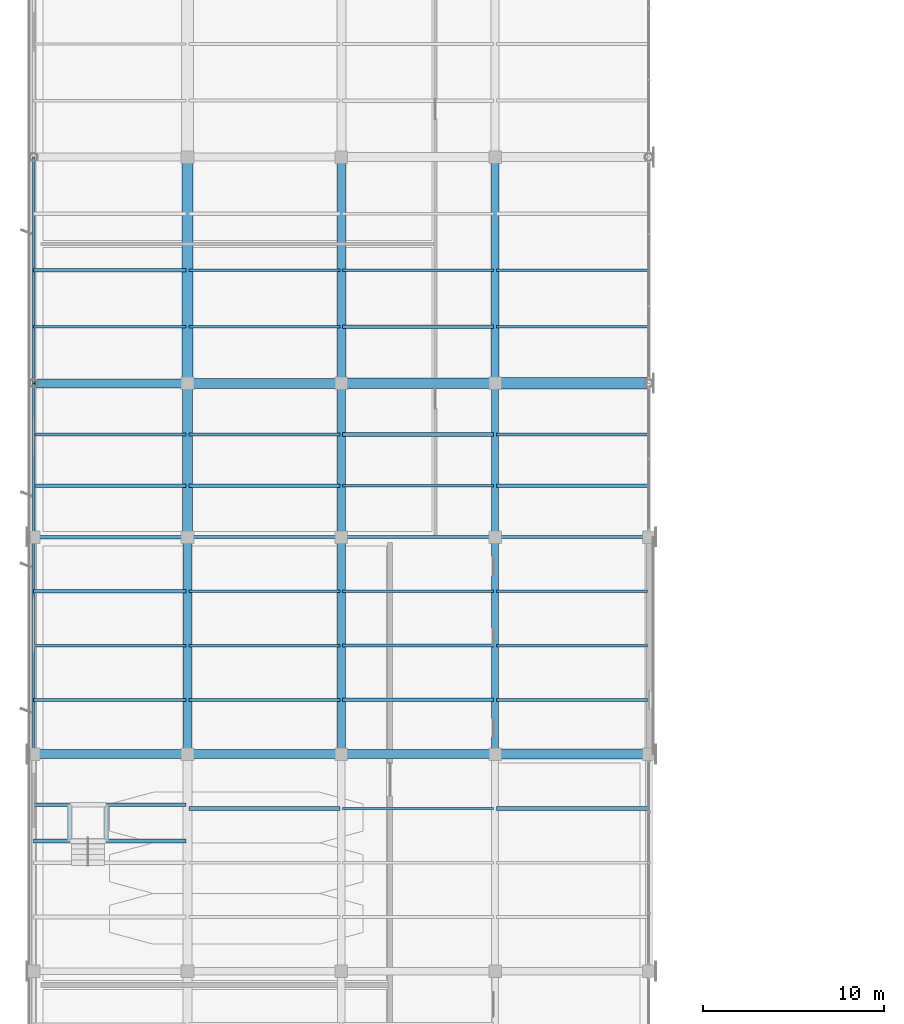
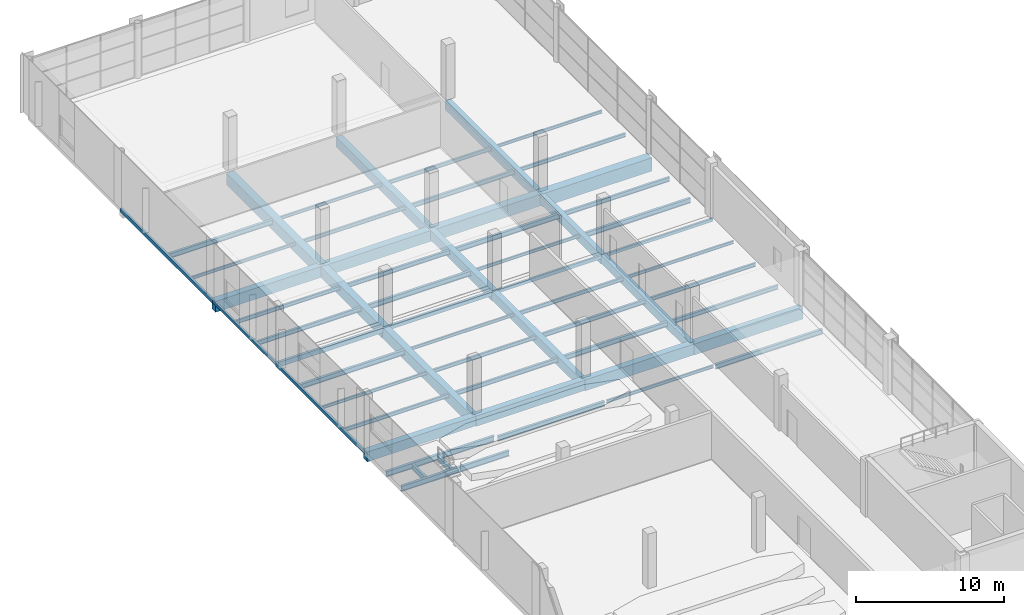
# One storey, part 38 of 112: 59 beams.
"""IFC4 building model written with IfcOpenShell, lengths in metres."""

from ifc_helpers import new_model, si_unit, direction, frame, origin, origin_2d, place, context, subcontext, project, spatial, rectangle, hollow_rectangle, i_section, extrude, material, material_profile, profile_set, type_object, element, save


model = new_model("IFC4")

# Units and contexts
model_context = context("Model", 3, precision=1e-05, world=origin(), true_north=direction((0.0, 1.0)))
body_context = subcontext(model_context, "Body", "Model", "MODEL_VIEW")
ifc_project = project(units=[si_unit("LENGTHUNIT", "METRE"), si_unit("AREAUNIT", "SQUARE_METRE"), si_unit("VOLUMEUNIT", "CUBIC_METRE"), si_unit("PLANEANGLEUNIT", "RADIAN"), si_unit("MASSUNIT", "GRAM", prefix="KILO")], contexts=[model_context])

# Site, building, storey
site_placement = place(None, origin())
site = spatial("IfcSite", under=ifc_project, at=site_placement, CompositionType="ELEMENT")
building_placement = place(site_placement, origin())
building = spatial("IfcBuilding", under=site, at=building_placement, Name="Solvikara Media Centre", CompositionType="ELEMENT")
storey_placement = place(building_placement, frame((0.0, 0.0, 5.39990234375)))
storey = spatial("IfcBuildingStorey", under=building, at=storey_placement, Name="L01", CompositionType="ELEMENT", Elevation=5.39990234375)

# Beams
ifc_material_1 = material(Name="Concrete fc' 35 MPa (C35/45)", Category="concrete")
ifc_material_profile_1 = material_profile(ifc_material_1, rectangle(XDim=0.39990234375, YDim=0.699951171875, at=origin_2d()), Name="RC 400x700")
ifc_profile_set_1 = profile_set([ifc_material_profile_1], Name="Concrete fc' 35 MPa (C35/45)")
beam_type_1 = type_object("IfcBeamType", Name="BM-03", PredefinedType="BEAM", material=ifc_profile_set_1)
beam_1_placement = place(storey_placement, frame((25.5, 68.5, -0.60986328125), z_axis=(0.0, 1.0, 0.0), x_axis=(-1.0, 0.0, 0.0)))
element("IfcBeam", 1, at=beam_1_placement, inside=storey, type_object=beam_type_1, Name="B-L01-Y0567", PredefinedType="BEAM", context=body_context, shape_type="SweptSolid", body=[
    extrude(rectangle(XDim=0.39990234375, YDim=0.699951171875, at=origin_2d()), origin(), (0.0, 0.0, 1.0), 12.0),
])
ifc_material_profile_2 = material_profile(ifc_material_1, rectangle(XDim=0.39990234375, YDim=0.75, at=origin_2d()), Name="RC 400x750")
ifc_profile_set_2 = profile_set([ifc_material_profile_2], Name="Concrete fc' 35 MPa (C35/45)")
beam_type_2 = type_object("IfcBeamType", Name="BM-04", PredefinedType="BEAM", material=ifc_profile_set_2)
beam_2_placement = place(storey_placement, frame((25.5, 80.5, -0.635009765625), z_axis=(0.0, 1.0, 0.0), x_axis=(-1.0, 0.0, 0.0)))
element("IfcBeam", 2, at=beam_2_placement, inside=storey, type_object=beam_type_2, Name="B-L01-Y0568", PredefinedType="BEAM", context=body_context, shape_type="SweptSolid", body=[
    extrude(rectangle(XDim=0.39990234375, YDim=0.75, at=origin_2d()), origin(), (0.0, 0.0, 1.0), 8.5),
])
ifc_material_profile_3 = material_profile(ifc_material_1, rectangle(XDim=0.449951171875, YDim=0.75, at=origin_2d()), Name="RC 450x750")
ifc_profile_set_3 = profile_set([ifc_material_profile_3], Name="Concrete fc' 35 MPa (C35/45)")
beam_type_3 = type_object("IfcBeamType", Name="BM-05", PredefinedType="BEAM", material=ifc_profile_set_3)
beam_3_placement = place(storey_placement, frame((17.0, 68.5, -0.635009765625), z_axis=(0.0, 1.0, 0.0), x_axis=(-1.0, 0.0, 0.0)))
element("IfcBeam", 3, at=beam_3_placement, inside=storey, type_object=beam_type_3, Name="B-L01-Y0557", PredefinedType="BEAM", context=body_context, shape_type="SweptSolid", body=[
    extrude(rectangle(XDim=0.449951171875, YDim=0.75, at=origin_2d()), origin(), (0.0, 0.0, 1.0), 12.0),
])
beam_4_placement = place(storey_placement, frame((25.5, 89.0, -0.635009765625), z_axis=(0.0, 1.0, 0.0), x_axis=(-1.0, 0.0, 0.0)))
element("IfcBeam", 4, at=beam_4_placement, inside=storey, type_object=beam_type_3, Name="B-L01-Y0569", PredefinedType="BEAM", context=body_context, shape_type="SweptSolid", body=[
    extrude(rectangle(XDim=0.449951171875, YDim=0.75, at=origin_2d()), origin(), (0.0, 0.0, 1.0), 12.5),
])
ifc_material_profile_4 = material_profile(ifc_material_1, rectangle(XDim=0.449951171875, YDim=0.800048828125, at=origin_2d()), Name="RC 450x800")
ifc_profile_set_4 = profile_set([ifc_material_profile_4], Name="Concrete fc' 35 MPa (C35/45)")
beam_type_4 = type_object("IfcBeamType", Name="BM-06", PredefinedType="BEAM", material=ifc_profile_set_4)
beam_5_placement = place(storey_placement, frame((17.0, 80.5, -0.659912109375), z_axis=(0.0, 1.0, 0.0), x_axis=(-1.0, 0.0, 0.0)))
element("IfcBeam", 5, at=beam_5_placement, inside=storey, type_object=beam_type_4, Name="B-L01-Y0558", PredefinedType="BEAM", context=body_context, shape_type="SweptSolid", body=[
    extrude(rectangle(XDim=0.449951171875, YDim=0.800048828125, at=origin_2d()), origin(), (0.0, 0.0, 1.0), 8.5),
])
ifc_material_profile_5 = material_profile(ifc_material_1, rectangle(XDim=0.5, YDim=0.800048828125, at=origin_2d()), Name="RC 500x800")
ifc_profile_set_5 = profile_set([ifc_material_profile_5], Name="Concrete fc' 35 MPa (C35/45)")
beam_type_5 = type_object("IfcBeamType", Name="BM-07", PredefinedType="BEAM", material=ifc_profile_set_5)
beam_6_placement = place(storey_placement, frame((0.0, 68.5, -0.659912109375), z_axis=(1.0, 0.0, 0.0), x_axis=(0.0, 1.0, 0.0)))
element("IfcBeam", 6, at=beam_6_placement, inside=storey, type_object=beam_type_5, Name="B-L01-X0499", PredefinedType="BEAM", context=body_context, shape_type="SweptSolid", body=[
    extrude(rectangle(XDim=0.5, YDim=0.800048828125, at=origin_2d()), origin(), (0.0, 0.0, 1.0), 8.5),
])
beam_7_placement = place(storey_placement, frame((17.0, 89.0, -0.659912109375), z_axis=(0.0, 1.0, 0.0), x_axis=(-1.0, 0.0, 0.0)))
element("IfcBeam", 7, at=beam_7_placement, inside=storey, type_object=beam_type_5, Name="B-L01-Y0559", PredefinedType="BEAM", context=body_context, shape_type="SweptSolid", body=[
    extrude(rectangle(XDim=0.5, YDim=0.800048828125, at=origin_2d()), origin(), (0.0, 0.0, 1.0), 12.5),
])
ifc_material_profile_6 = material_profile(ifc_material_1, rectangle(XDim=0.5, YDim=0.85009765625, at=origin_2d()), Name="RC 500x850")
ifc_profile_set_6 = profile_set([ifc_material_profile_6], Name="Concrete fc' 35 MPa (C35/45)")
beam_type_6 = type_object("IfcBeamType", Name="BM-08", PredefinedType="BEAM", material=ifc_profile_set_6)
beam_8_placement = place(storey_placement, frame((8.5, 68.5, -0.684814453125), z_axis=(1.0, 0.0, 0.0), x_axis=(0.0, 1.0, 0.0)))
element("IfcBeam", 8, at=beam_8_placement, inside=storey, type_object=beam_type_6, Name="B-L01-X0500", PredefinedType="BEAM", context=body_context, shape_type="SweptSolid", body=[
    extrude(rectangle(XDim=0.5, YDim=0.85009765625, at=origin_2d()), origin(), (0.0, 0.0, 1.0), 8.5),
])
ifc_material_2 = material(Name="Concrete fc' 45 MPa (C45/55)", Category="concrete")
ifc_material_profile_7 = material_profile(ifc_material_2, rectangle(XDim=0.5, YDim=0.89990234375, at=origin_2d()), Name="RC 500x900")
ifc_profile_set_7 = profile_set([ifc_material_profile_7], Name="Concrete fc' 45 MPa (C45/55)")
beam_type_7 = type_object("IfcBeamType", Name="BM-09", PredefinedType="BEAM", material=ifc_profile_set_7)
for number, where, z_axis, x_axis, name in (
    (9, (17.0, 68.5, -0.7099609375), (1.0, 0.0, 0.0), (0.0, 1.0, 0.0), "B-L01-X0501"),
    (10, (0.0, 89.0, -0.7099609375), (1.0, 0.0, 0.0), (0.0, 1.0, 0.0), "B-L01-X0513"),
):
    element("IfcBeam", number, at=place(storey_placement, frame(where, z_axis=z_axis, x_axis=x_axis)), inside=storey, type_object=beam_type_7, Name=name, PredefinedType="BEAM", context=body_context, shape_type="SweptSolid", body=[
        extrude(rectangle(XDim=0.5, YDim=0.89990234375, at=origin_2d()), origin(), (0.0, 0.0, 1.0), 8.5),
    ])
beam_9_placement = place(storey_placement, frame((8.5, 68.5, -0.7099609375), z_axis=(0.0, 1.0, 0.0), x_axis=(-1.0, 0.0, 0.0)))
element("IfcBeam", 11, at=beam_9_placement, inside=storey, type_object=beam_type_7, Name="B-L01-Y0549", PredefinedType="BEAM", context=body_context, shape_type="SweptSolid", body=[
    extrude(rectangle(XDim=0.5, YDim=0.89990234375, at=origin_2d()), origin(), (0.0, 0.0, 1.0), 12.0),
])
ifc_material_profile_8 = material_profile(ifc_material_2, rectangle(XDim=0.550048828125, YDim=0.89990234375, at=origin_2d()), Name="RC 550x900")
ifc_profile_set_8 = profile_set([ifc_material_profile_8], Name="Concrete fc' 45 MPa (C45/55)")
beam_type_8 = type_object("IfcBeamType", Name="BM-10", PredefinedType="BEAM", material=ifc_profile_set_8)
for number, where, z_axis, x_axis, name in (
    (12, (25.5, 68.5, -0.7099609375), (1.0, 0.0, 0.0), (0.0, 1.0, 0.0), "B-L01-X0502"),
    (13, (8.5, 89.0, -0.7099609375), (1.0, 0.0, 0.0), (0.0, 1.0, 0.0), "B-L01-X0514"),
    (14, (8.5, 80.5, -0.7099609375), (0.0, 1.0, 0.0), (-1.0, 0.0, 0.0), "B-L01-Y0550"),
):
    element("IfcBeam", number, at=place(storey_placement, frame(where, z_axis=z_axis, x_axis=x_axis)), inside=storey, type_object=beam_type_8, Name=name, PredefinedType="BEAM", context=body_context, shape_type="SweptSolid", body=[
        extrude(rectangle(XDim=0.550048828125, YDim=0.89990234375, at=origin_2d()), origin(), (0.0, 0.0, 1.0), 8.5),
    ])
ifc_material_profile_9 = material_profile(ifc_material_2, rectangle(XDim=0.60009765625, YDim=0.949951171875, at=origin_2d()), Name="RC 600x950")
ifc_profile_set_9 = profile_set([ifc_material_profile_9], Name="Concrete fc' 45 MPa (C45/55)")
beam_type_9 = type_object("IfcBeamType", Name="BM-11", PredefinedType="BEAM", material=ifc_profile_set_9)
beam_10_placement = place(storey_placement, frame((17.0, 89.0, -0.73486328125), z_axis=(1.0, 0.0, 0.0), x_axis=(0.0, 1.0, 0.0)))
element("IfcBeam", 15, at=beam_10_placement, inside=storey, type_object=beam_type_9, Name="B-L01-X0515", PredefinedType="BEAM", context=body_context, shape_type="SweptSolid", body=[
    extrude(rectangle(XDim=0.60009765625, YDim=0.949951171875, at=origin_2d()), origin(), (0.0, 0.0, 1.0), 8.5),
])
beam_11_placement = place(storey_placement, frame((8.5, 89.0, -0.73486328125), z_axis=(0.0, 1.0, 0.0), x_axis=(-1.0, 0.0, 0.0)))
element("IfcBeam", 16, at=beam_11_placement, inside=storey, type_object=beam_type_9, Name="B-L01-Y0551", PredefinedType="BEAM", context=body_context, shape_type="SweptSolid", body=[
    extrude(rectangle(XDim=0.60009765625, YDim=0.949951171875, at=origin_2d()), origin(), (0.0, 0.0, 1.0), 12.5),
])
ifc_material_profile_10 = material_profile(ifc_material_2, rectangle(XDim=0.64990234375, YDim=1.10009765625, at=origin_2d()), Name="RC 650x1100")
ifc_profile_set_10 = profile_set([ifc_material_profile_10], Name="Concrete fc' 45 MPa (C45/55)")
beam_type_10 = type_object("IfcBeamType", Name="BM-12", PredefinedType="BEAM", material=ifc_profile_set_10)
beam_12_placement = place(storey_placement, frame((25.5, 89.0, -0.809814453125), z_axis=(1.0, 0.0, 0.0), x_axis=(0.0, 1.0, 0.0)))
element("IfcBeam", 17, at=beam_12_placement, inside=storey, type_object=beam_type_10, Name="B-L01-X0516", PredefinedType="BEAM", context=body_context, shape_type="SweptSolid", body=[
    extrude(rectangle(XDim=0.64990234375, YDim=1.10009765625, at=origin_2d()), origin(), (0.0, 0.0, 1.0), 8.5),
])
ifc_material_3 = material(Name="Steel S355JR", Category="steel")
ifc_material_profile_11 = material_profile(ifc_material_3, i_section(OverallWidth=0.199951171875, OverallDepth=0.449951171875, WebThickness=0.009033203125, FlangeThickness=0.013916015625, at=origin_2d()), Name="WF 450x200x9x14")
ifc_profile_set_11 = profile_set([ifc_material_profile_11], Name="Steel S355JR")
beam_type_11 = type_object("IfcBeamType", Name="BM-20", PredefinedType="BEAM", material=ifc_profile_set_11)
for number, where, z_axis, x_axis, name in (
    (18, (0.0, 63.699951171875, -0.48681640625), (1.0, 0.0, 0.0), (0.0, 1.0, 0.0), "B-VOM-MX5-1"),
    (19, (0.0, 65.699951171875, -0.48681640625), (1.0, 0.0, 0.0), (0.0, 1.0, 0.0), "B-VOM-MX5-2"),
):
    element("IfcBeam", number, at=place(storey_placement, frame(where, z_axis=z_axis, x_axis=x_axis)), inside=storey, type_object=beam_type_11, Name=name, PredefinedType="BEAM", context=body_context, shape_type="SweptSolid", body=[
        extrude(i_section(OverallWidth=0.199951171875, OverallDepth=0.449951171875, WebThickness=0.009033203125, FlangeThickness=0.013916015625, at=origin_2d()), origin(), (0.0, 0.0, 1.0), 8.419921875),
    ])
for number, where, z_axis, x_axis, name in (
    (20, (2.0, 63.780029296875, -0.48681640625), (0.0, 1.0, 0.0), (-1.0, 0.0, 0.0), "BVW-ST-MX5-AISLE-W"),
    (21, (4.0, 63.780029296875, -0.48681640625), (0.0, 1.0, 0.0), (-1.0, 0.0, 0.0), "BVW-ST-MX5-AISLE-E"),
):
    element("IfcBeam", number, at=place(storey_placement, frame(where, z_axis=z_axis, x_axis=x_axis)), inside=storey, type_object=beam_type_11, Name=name, PredefinedType="BEAM", context=body_context, shape_type="SweptSolid", body=[
        extrude(i_section(OverallWidth=0.199951171875, OverallDepth=0.449951171875, WebThickness=0.009033203125, FlangeThickness=0.013916015625, at=origin_2d()), origin(), (0.0, 0.0, 1.0), 1.840087890625),
    ])
ifc_material_profile_12 = material_profile(ifc_material_3, i_section(OverallWidth=0.199951171875, OverallDepth=0.39990234375, WebThickness=0.008056640625, FlangeThickness=0.012939453125, at=origin_2d()), Name="WF 400x200x8x13")
ifc_profile_set_12 = profile_set([ifc_material_profile_12], Name="Steel S355JR")
beam_type_12 = type_object("IfcBeamType", Name="BM-21", PredefinedType="JOIST", material=ifc_profile_set_12)
beam_13_placement = place(storey_placement, frame((0.0, 77.5, -0.4619140625), z_axis=(1.0, 0.0, 0.0), x_axis=(0.0, 1.0, 0.0)))
element("IfcBeam", 22, at=beam_13_placement, inside=storey, type_object=beam_type_12, Name="J-L01-0657", PredefinedType="JOIST", context=body_context, shape_type="SweptSolid", body=[
    extrude(i_section(OverallWidth=0.199951171875, OverallDepth=0.39990234375, WebThickness=0.008056640625, FlangeThickness=0.012939453125, at=origin_2d()), origin(), (0.0, 0.0, 1.0), 8.422119140625),
])
for number, where, z_axis, x_axis, name in (
    (23, (8.577880859375, 83.3330078125, -0.4619140625), (1.0, 0.0, 0.0), (0.0, 1.0, 0.0), "J-L01-0681"),
    (24, (17.077880859375, 86.1669921875, -0.4619140625), (1.0, 0.0, 0.0), (0.0, 1.0, 0.0), "J-L01-0705"),
    (25, (25.577880859375, 65.5, -0.4619140625), (1.0, 0.0, 0.0), (0.0, 1.0, 0.0), "J-L01-0721"),
):
    element("IfcBeam", number, at=place(storey_placement, frame(where, z_axis=z_axis, x_axis=x_axis)), inside=storey, type_object=beam_type_12, Name=name, PredefinedType="JOIST", context=body_context, shape_type="SweptSolid", body=[
        extrude(i_section(OverallWidth=0.199951171875, OverallDepth=0.39990234375, WebThickness=0.008056640625, FlangeThickness=0.012939453125, at=origin_2d()), origin(), (0.0, 0.0, 1.0), 8.34423828125),
    ])
ifc_material_profile_13 = material_profile(ifc_material_3, i_section(OverallWidth=0.175048828125, OverallDepth=0.35009765625, WebThickness=0.007080078125, FlangeThickness=0.010986328125, at=origin_2d()), Name="WF 350x175x7x11")
ifc_profile_set_13 = profile_set([ifc_material_profile_13], Name="Steel S355JR")
beam_type_13 = type_object("IfcBeamType", Name="BM-22", PredefinedType="JOIST", material=ifc_profile_set_13)
beam_14_placement = place(storey_placement, frame((0.0, 83.3330078125, -0.43701171875), z_axis=(1.0, 0.0, 0.0), x_axis=(0.0, 1.0, 0.0)))
element("IfcBeam", 26, at=beam_14_placement, inside=storey, type_object=beam_type_13, Name="J-L01-0658", PredefinedType="JOIST", context=body_context, shape_type="SweptSolid", body=[
    extrude(i_section(OverallWidth=0.175048828125, OverallDepth=0.35009765625, WebThickness=0.007080078125, FlangeThickness=0.010986328125, at=origin_2d()), origin(), (0.0, 0.0, 1.0), 8.422119140625),
])
for number, where, z_axis, x_axis, name in (
    (27, (8.577880859375, 86.1669921875, -0.43701171875), (1.0, 0.0, 0.0), (0.0, 1.0, 0.0), "J-L01-0682"),
    (28, (17.077880859375, 92.125, -0.43701171875), (1.0, 0.0, 0.0), (0.0, 1.0, 0.0), "J-L01-0706"),
    (29, (25.577880859375, 71.5, -0.43701171875), (1.0, 0.0, 0.0), (0.0, 1.0, 0.0), "J-L01-0722"),
):
    element("IfcBeam", number, at=place(storey_placement, frame(where, z_axis=z_axis, x_axis=x_axis)), inside=storey, type_object=beam_type_13, Name=name, PredefinedType="JOIST", context=body_context, shape_type="SweptSolid", body=[
        extrude(i_section(OverallWidth=0.175048828125, OverallDepth=0.35009765625, WebThickness=0.007080078125, FlangeThickness=0.010986328125, at=origin_2d()), origin(), (0.0, 0.0, 1.0), 8.34423828125),
    ])
ifc_material_profile_14 = material_profile(ifc_material_3, i_section(OverallWidth=0.14990234375, OverallDepth=0.300048828125, WebThickness=0.006591796875, FlangeThickness=0.009033203125, at=origin_2d()), Name="WF 300x150x6.5x9")
ifc_profile_set_14 = profile_set([ifc_material_profile_14], Name="Steel S355JR")
beam_type_14 = type_object("IfcBeamType", Name="BM-23", PredefinedType="JOIST", material=ifc_profile_set_14)
beam_15_placement = place(storey_placement, frame((0.0, 86.1669921875, -0.411865234375), z_axis=(1.0, 0.0, 0.0), x_axis=(0.0, 1.0, 0.0)))
element("IfcBeam", 30, at=beam_15_placement, inside=storey, type_object=beam_type_14, Name="J-L01-0659", PredefinedType="JOIST", context=body_context, shape_type="SweptSolid", body=[
    extrude(i_section(OverallWidth=0.14990234375, OverallDepth=0.300048828125, WebThickness=0.006591796875, FlangeThickness=0.009033203125, at=origin_2d()), origin(), (0.0, 0.0, 1.0), 8.422119140625),
])
for number, where, z_axis, x_axis, name in (
    (31, (8.577880859375, 92.125, -0.411865234375), (1.0, 0.0, 0.0), (0.0, 1.0, 0.0), "J-L01-0683"),
    (32, (17.077880859375, 95.25, -0.411865234375), (1.0, 0.0, 0.0), (0.0, 1.0, 0.0), "J-L01-0707"),
    (33, (25.577880859375, 74.5, -0.411865234375), (1.0, 0.0, 0.0), (0.0, 1.0, 0.0), "J-L01-0723"),
):
    element("IfcBeam", number, at=place(storey_placement, frame(where, z_axis=z_axis, x_axis=x_axis)), inside=storey, type_object=beam_type_14, Name=name, PredefinedType="JOIST", context=body_context, shape_type="SweptSolid", body=[
        extrude(i_section(OverallWidth=0.14990234375, OverallDepth=0.300048828125, WebThickness=0.006591796875, FlangeThickness=0.009033203125, at=origin_2d()), origin(), (0.0, 0.0, 1.0), 8.34423828125),
    ])
ifc_material_profile_15 = material_profile(ifc_material_3, i_section(OverallWidth=0.125, OverallDepth=0.25, WebThickness=0.006103515625, FlangeThickness=0.009033203125, at=origin_2d()), Name="WF 250x125x6x9")
ifc_profile_set_15 = profile_set([ifc_material_profile_15], Name="Steel S355JR")
beam_type_15 = type_object("IfcBeamType", Name="BM-24", PredefinedType="JOIST", material=ifc_profile_set_15)
beam_16_placement = place(storey_placement, frame((0.0, 92.125, -0.386962890625), z_axis=(1.0, 0.0, 0.0), x_axis=(0.0, 1.0, 0.0)))
element("IfcBeam", 34, at=beam_16_placement, inside=storey, type_object=beam_type_15, Name="J-L01-0660", PredefinedType="JOIST", context=body_context, shape_type="SweptSolid", body=[
    extrude(i_section(OverallWidth=0.125, OverallDepth=0.25, WebThickness=0.006103515625, FlangeThickness=0.009033203125, at=origin_2d()), origin(), (0.0, 0.0, 1.0), 8.422119140625),
])
for number, where, z_axis, x_axis, name in (
    (35, (8.577880859375, 95.25, -0.386962890625), (1.0, 0.0, 0.0), (0.0, 1.0, 0.0), "J-L01-0684"),
    (36, (17.077880859375, 65.5, -0.386962890625), (1.0, 0.0, 0.0), (0.0, 1.0, 0.0), "J-L01-0700"),
    (37, (25.577880859375, 77.5, -0.386962890625), (1.0, 0.0, 0.0), (0.0, 1.0, 0.0), "J-L01-0724"),
):
    element("IfcBeam", number, at=place(storey_placement, frame(where, z_axis=z_axis, x_axis=x_axis)), inside=storey, type_object=beam_type_15, Name=name, PredefinedType="JOIST", context=body_context, shape_type="SweptSolid", body=[
        extrude(i_section(OverallWidth=0.125, OverallDepth=0.25, WebThickness=0.006103515625, FlangeThickness=0.009033203125, at=origin_2d()), origin(), (0.0, 0.0, 1.0), 8.34423828125),
    ])
ifc_material_profile_16 = material_profile(ifc_material_3, hollow_rectangle(XDim=0.199951171875, YDim=0.39990234375, WallThickness=0.011962890625, at=origin_2d()), Name="RHS 400x200x12")
ifc_profile_set_16 = profile_set([ifc_material_profile_16], Name="Steel S355JR")
beam_type_16 = type_object("IfcBeamType", Name="BM-33", PredefinedType="SPANDREL", material=ifc_profile_set_16)
beam_17_placement = place(storey_placement, frame((0.0, 80.5, -0.4619140625), z_axis=(1.0, 0.0, 0.0), x_axis=(0.0, 1.0, 0.0)))
element("IfcBeam", 38, at=beam_17_placement, inside=storey, type_object=beam_type_16, Name="B-L01-X0507", PredefinedType="SPANDREL", context=body_context, shape_type="SweptSolid", body=[
    extrude(hollow_rectangle(XDim=0.199951171875, YDim=0.39990234375, WallThickness=0.011962890625, at=origin_2d()), origin(), (0.0, 0.0, 1.0), 8.5),
])
ifc_material_profile_17 = material_profile(ifc_material_3, hollow_rectangle(XDim=0.175048828125, YDim=0.35009765625, WallThickness=0.010009765625, at=origin_2d()), Name="RHS 350x175x10")
ifc_profile_set_17 = profile_set([ifc_material_profile_17], Name="Steel S355JR")
beam_type_17 = type_object("IfcBeamType", Name="BM-34", PredefinedType="SPANDREL", material=ifc_profile_set_17)
beam_18_placement = place(storey_placement, frame((8.5, 80.5, -0.43701171875), z_axis=(1.0, 0.0, 0.0), x_axis=(0.0, 1.0, 0.0)))
element("IfcBeam", 39, at=beam_18_placement, inside=storey, type_object=beam_type_17, Name="B-L01-X0508", PredefinedType="SPANDREL", context=body_context, shape_type="SweptSolid", body=[
    extrude(hollow_rectangle(XDim=0.175048828125, YDim=0.35009765625, WallThickness=0.010009765625, at=origin_2d()), origin(), (0.0, 0.0, 1.0), 8.5),
])
ifc_material_profile_18 = material_profile(ifc_material_3, hollow_rectangle(XDim=0.14990234375, YDim=0.300048828125, WallThickness=0.010009765625, at=origin_2d()), Name="RHS 300x150x10")
ifc_profile_set_18 = profile_set([ifc_material_profile_18], Name="Steel S355JR")
beam_type_18 = type_object("IfcBeamType", Name="BM-35", PredefinedType="BEAM", material=ifc_profile_set_18)
beam_19_placement = place(storey_placement, frame((17.0, 80.5, -0.411865234375), z_axis=(1.0, 0.0, 0.0), x_axis=(0.0, 1.0, 0.0)))
element("IfcBeam", 40, at=beam_19_placement, inside=storey, type_object=beam_type_18, Name="B-L01-X0509", PredefinedType="BEAM", context=body_context, shape_type="SweptSolid", body=[
    extrude(hollow_rectangle(XDim=0.14990234375, YDim=0.300048828125, WallThickness=0.010009765625, at=origin_2d()), origin(), (0.0, 0.0, 1.0), 8.5),
])
beam_20_placement = place(storey_placement, frame((0.0, 68.5, -0.411865234375), z_axis=(0.0, 1.0, 0.0), x_axis=(-1.0, 0.0, 0.0)))
element("IfcBeam", 41, at=beam_20_placement, inside=storey, type_object=beam_type_18, Name="B-L01-Y0541", PredefinedType="BEAM", context=body_context, shape_type="SweptSolid", body=[
    extrude(hollow_rectangle(XDim=0.14990234375, YDim=0.300048828125, WallThickness=0.010009765625, at=origin_2d()), origin(), (0.0, 0.0, 1.0), 12.0),
])
ifc_material_profile_19 = material_profile(ifc_material_3, hollow_rectangle(XDim=0.14990234375, YDim=0.25, WallThickness=0.008056640625, at=origin_2d()), Name="RHS 250x150x8")
ifc_profile_set_19 = profile_set([ifc_material_profile_19], Name="Steel S355JR")
beam_type_19 = type_object("IfcBeamType", Name="BM-36", PredefinedType="JOIST", material=ifc_profile_set_19)
for number, where, z_axis, x_axis, name in (
    (42, (25.5, 80.5, -0.386962890625), (1.0, 0.0, 0.0), (0.0, 1.0, 0.0), "B-L01-X0510"),
    (43, (0.0, 80.5, -0.386962890625), (0.0, 1.0, 0.0), (-1.0, 0.0, 0.0), "B-L01-Y0542"),
):
    element("IfcBeam", number, at=place(storey_placement, frame(where, z_axis=z_axis, x_axis=x_axis)), inside=storey, type_object=beam_type_19, Name=name, PredefinedType="JOIST", context=body_context, shape_type="SweptSolid", body=[
        extrude(hollow_rectangle(XDim=0.14990234375, YDim=0.25, WallThickness=0.008056640625, at=origin_2d()), origin(), (0.0, 0.0, 1.0), 8.5),
    ])
ifc_material_profile_20 = material_profile(ifc_material_3, i_section(OverallWidth=0.198974609375, OverallDepth=0.39599609375, WebThickness=0.007080078125, FlangeThickness=0.010986328125, at=origin_2d()), Name="WF 396x199x7x11")
ifc_profile_set_20 = profile_set([ifc_material_profile_20], Name="Steel S355JR")
beam_type_20 = type_object("IfcBeamType", Name="BM-37", PredefinedType="JOIST", material=ifc_profile_set_20)
beam_21_placement = place(storey_placement, frame((0.0, 95.25, -0.4599609375), z_axis=(1.0, 0.0, 0.0), x_axis=(0.0, 1.0, 0.0)))
element("IfcBeam", 44, at=beam_21_placement, inside=storey, type_object=beam_type_20, Name="J-L01-0661", PredefinedType="JOIST", context=body_context, shape_type="SweptSolid", body=[
    extrude(i_section(OverallWidth=0.198974609375, OverallDepth=0.39599609375, WebThickness=0.007080078125, FlangeThickness=0.010986328125, at=origin_2d()), origin(), (0.0, 0.0, 1.0), 8.422119140625),
])
for number, where, z_axis, x_axis, name in (
    (45, (8.577880859375, 65.5, -0.4599609375), (1.0, 0.0, 0.0), (0.0, 1.0, 0.0), "J-L01-0677"),
    (46, (17.077880859375, 71.5, -0.4599609375), (1.0, 0.0, 0.0), (0.0, 1.0, 0.0), "J-L01-0701"),
    (47, (25.577880859375, 83.3330078125, -0.4599609375), (1.0, 0.0, 0.0), (0.0, 1.0, 0.0), "J-L01-0725"),
):
    element("IfcBeam", number, at=place(storey_placement, frame(where, z_axis=z_axis, x_axis=x_axis)), inside=storey, type_object=beam_type_20, Name=name, PredefinedType="JOIST", context=body_context, shape_type="SweptSolid", body=[
        extrude(i_section(OverallWidth=0.198974609375, OverallDepth=0.39599609375, WebThickness=0.007080078125, FlangeThickness=0.010986328125, at=origin_2d()), origin(), (0.0, 0.0, 1.0), 8.34423828125),
    ])
ifc_material_profile_21 = material_profile(ifc_material_3, i_section(OverallWidth=0.174072265625, OverallDepth=0.345947265625, WebThickness=0.006103515625, FlangeThickness=0.009033203125, at=origin_2d()), Name="WF 346x174x6x9")
ifc_profile_set_21 = profile_set([ifc_material_profile_21], Name="Steel S355JR")
beam_type_21 = type_object("IfcBeamType", Name="BM-38", PredefinedType="JOIST", material=ifc_profile_set_21)
for number, where, z_axis, x_axis, name in (
    (48, (8.577880859375, 71.5, -0.434814453125), (1.0, 0.0, 0.0), (0.0, 1.0, 0.0), "J-L01-0678"),
    (49, (17.077880859375, 74.5, -0.434814453125), (1.0, 0.0, 0.0), (0.0, 1.0, 0.0), "J-L01-0702"),
    (50, (25.577880859375, 86.1669921875, -0.434814453125), (1.0, 0.0, 0.0), (0.0, 1.0, 0.0), "J-L01-0726"),
):
    element("IfcBeam", number, at=place(storey_placement, frame(where, z_axis=z_axis, x_axis=x_axis)), inside=storey, type_object=beam_type_21, Name=name, PredefinedType="JOIST", context=body_context, shape_type="SweptSolid", body=[
        extrude(i_section(OverallWidth=0.174072265625, OverallDepth=0.345947265625, WebThickness=0.006103515625, FlangeThickness=0.009033203125, at=origin_2d()), origin(), (0.0, 0.0, 1.0), 8.34423828125),
    ])
ifc_material_profile_22 = material_profile(ifc_material_3, i_section(OverallWidth=0.14892578125, OverallDepth=0.298095703125, WebThickness=0.005615234375, FlangeThickness=0.008056640625, at=origin_2d()), Name="WF 298x149x5.5x8")
ifc_profile_set_22 = profile_set([ifc_material_profile_22], Name="Steel S355JR")
beam_type_22 = type_object("IfcBeamType", Name="BM-39", PredefinedType="JOIST", material=ifc_profile_set_22)
beam_22_placement = place(storey_placement, frame((0.0, 71.5, -0.410888671875), z_axis=(1.0, 0.0, 0.0), x_axis=(0.0, 1.0, 0.0)))
element("IfcBeam", 51, at=beam_22_placement, inside=storey, type_object=beam_type_22, Name="J-L01-0655", PredefinedType="JOIST", context=body_context, shape_type="SweptSolid", body=[
    extrude(i_section(OverallWidth=0.14892578125, OverallDepth=0.298095703125, WebThickness=0.005615234375, FlangeThickness=0.008056640625, at=origin_2d()), origin(), (0.0, 0.0, 1.0), 8.422119140625),
])
for number, where, z_axis, x_axis, name in (
    (52, (8.577880859375, 74.5, -0.410888671875), (1.0, 0.0, 0.0), (0.0, 1.0, 0.0), "J-L01-0679"),
    (53, (17.077880859375, 77.5, -0.410888671875), (1.0, 0.0, 0.0), (0.0, 1.0, 0.0), "J-L01-0703"),
    (54, (25.577880859375, 92.125, -0.410888671875), (1.0, 0.0, 0.0), (0.0, 1.0, 0.0), "J-L01-0727"),
):
    element("IfcBeam", number, at=place(storey_placement, frame(where, z_axis=z_axis, x_axis=x_axis)), inside=storey, type_object=beam_type_22, Name=name, PredefinedType="JOIST", context=body_context, shape_type="SweptSolid", body=[
        extrude(i_section(OverallWidth=0.14892578125, OverallDepth=0.298095703125, WebThickness=0.005615234375, FlangeThickness=0.008056640625, at=origin_2d()), origin(), (0.0, 0.0, 1.0), 8.34423828125),
    ])
ifc_material_profile_23 = material_profile(ifc_material_3, i_section(OverallWidth=0.1240234375, OverallDepth=0.248046875, WebThickness=0.0048828125, FlangeThickness=0.008056640625, at=origin_2d()), Name="WF 248x124x5x8")
ifc_profile_set_23 = profile_set([ifc_material_profile_23], Name="Steel S355JR")
beam_type_23 = type_object("IfcBeamType", Name="BM-40", PredefinedType="JOIST", material=ifc_profile_set_23)
beam_23_placement = place(storey_placement, frame((0.0, 74.5, -0.385986328125), z_axis=(1.0, 0.0, 0.0), x_axis=(0.0, 1.0, 0.0)))
element("IfcBeam", 55, at=beam_23_placement, inside=storey, type_object=beam_type_23, Name="J-L01-0656", PredefinedType="JOIST", context=body_context, shape_type="SweptSolid", body=[
    extrude(i_section(OverallWidth=0.1240234375, OverallDepth=0.248046875, WebThickness=0.0048828125, FlangeThickness=0.008056640625, at=origin_2d()), origin(), (0.0, 0.0, 1.0), 8.422119140625),
])
for number, where, z_axis, x_axis, name in (
    (56, (8.577880859375, 77.5, -0.385986328125), (1.0, 0.0, 0.0), (0.0, 1.0, 0.0), "J-L01-0680"),
    (57, (17.077880859375, 83.3330078125, -0.385986328125), (1.0, 0.0, 0.0), (0.0, 1.0, 0.0), "J-L01-0704"),
    (58, (25.577880859375, 95.25, -0.385986328125), (1.0, 0.0, 0.0), (0.0, 1.0, 0.0), "J-L01-0728"),
):
    element("IfcBeam", number, at=place(storey_placement, frame(where, z_axis=z_axis, x_axis=x_axis)), inside=storey, type_object=beam_type_23, Name=name, PredefinedType="JOIST", context=body_context, shape_type="SweptSolid", body=[
        extrude(i_section(OverallWidth=0.1240234375, OverallDepth=0.248046875, WebThickness=0.0048828125, FlangeThickness=0.008056640625, at=origin_2d()), origin(), (0.0, 0.0, 1.0), 8.34423828125),
    ])
ifc_material_profile_24 = material_profile(ifc_material_3, hollow_rectangle(XDim=0.159912109375, YDim=0.320068359375, WallThickness=0.010009765625, at=origin_2d()), Name="RHS 320x160x10")
ifc_profile_set_24 = profile_set([ifc_material_profile_24], Name="Steel S355JR")
beam_type_24 = type_object("IfcBeamType", Name="BM-45", PredefinedType="SPANDREL", material=ifc_profile_set_24)
beam_24_placement = place(storey_placement, frame((0.0, 89.0, -0.421875), z_axis=(0.0, 1.0, 0.0), x_axis=(-1.0, 0.0, 0.0)))
element("IfcBeam", 59, at=beam_24_placement, inside=storey, type_object=beam_type_24, Name="B-L01-Y0543", PredefinedType="SPANDREL", context=body_context, shape_type="SweptSolid", body=[
    extrude(hollow_rectangle(XDim=0.159912109375, YDim=0.320068359375, WallThickness=0.010009765625, at=origin_2d()), origin(), (0.0, 0.0, 1.0), 12.5),
])

save(model, "model.ifc")
